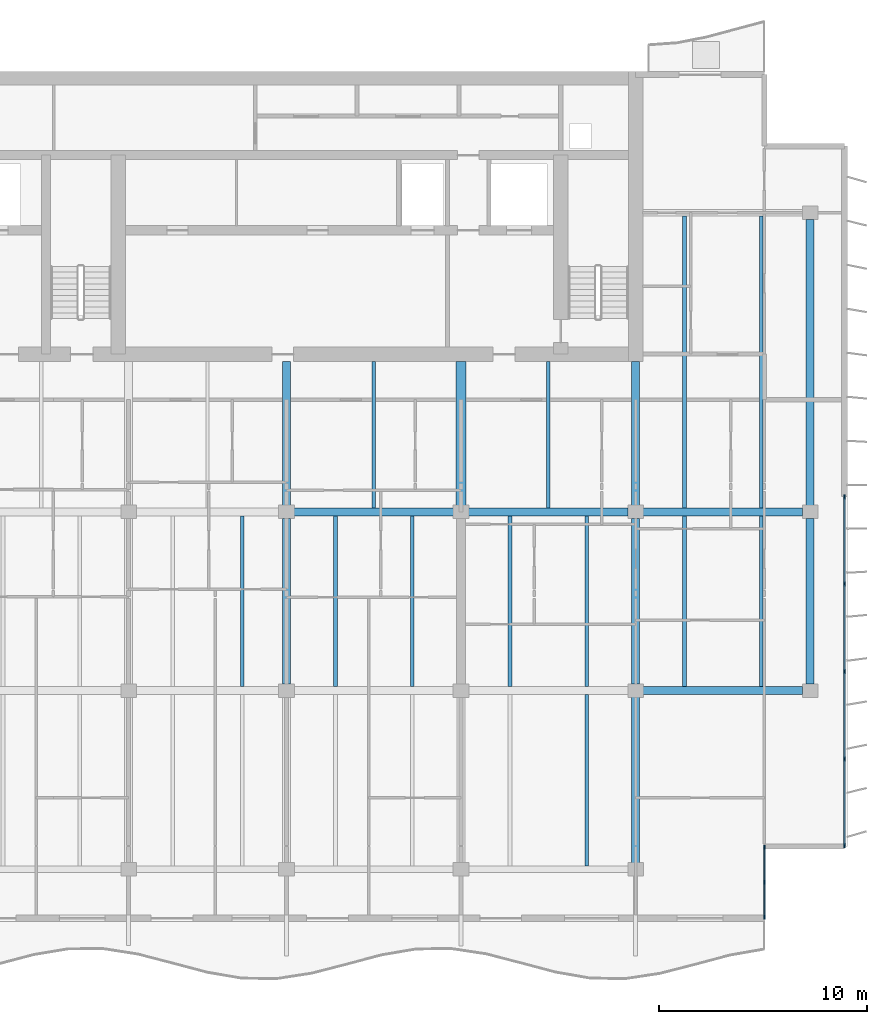
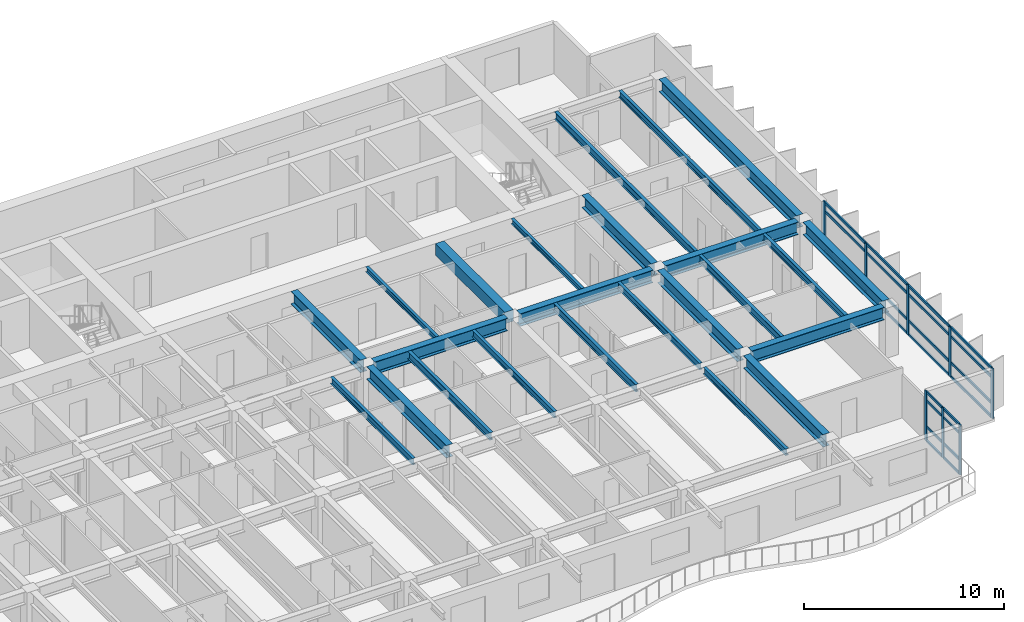
# One storey, part 4 of 17: 32 members, 24 beams, 2 elements without a shape of their own.
"""IFC4 building model written with IfcOpenShell, lengths in metres."""

import ifcopenshell
import ifcopenshell.guid

model = None  # the IFC model being written
_history = None  # IfcOwnerHistory: only IFC2X3 demands one
_inside = {}  # id of a spatial element -> (the spatial element, [elements in it])
_under = {}  # id of a project, library or spatial element -> (it, [spatial elements below it])
_declared = {}  # id of a project -> (the project, [libraries it declares])
_typed = {}  # id of a type object -> (the type object, [elements of that type])
_made_of = {}  # id of a material, layer set ... -> (it, [elements and type objects made of it])


def new_model(schema):
    """Start an empty IFC model of exactly this schema.

    Asked for "IFC4X3", IfcOpenShell would pick the latest addendum, in which some entities
    have other attributes; the version numbers below select the first issue.
    IFC2X3 requires an IfcOwnerHistory on every rooted entity: one is made here for all.
    """
    global model, _history
    if schema == "IFC4X3":
        model = ifcopenshell.file(schema_version=(4, 3, 0, 0))
    else:
        model = ifcopenshell.file(schema=schema)
    _inside.clear()
    _under.clear()
    _declared.clear()
    _typed.clear()
    _made_of.clear()
    _history = None
    if model.schema == "IFC2X3":
        org = make("IfcOrganization", Name="unknown")
        user = make(
            "IfcPersonAndOrganization",
            ThePerson=make("IfcPerson", FamilyName="unknown"),
            TheOrganization=org,
        )
        app = make(
            "IfcApplication",
            ApplicationDeveloper=org,
            Version="unknown",
            ApplicationFullName="unknown",
            ApplicationIdentifier="unknown",
        )
        _history = make(
            "IfcOwnerHistory",
            OwningUser=user,
            OwningApplication=app,
            ChangeAction="ADDED",
            CreationDate=0,
        )
    return model


def make(cls, **values):
    """One entity of the class cls with the attributes given. An attribute that is None is left unset."""
    return model.create_entity(
        cls, **{name: value for name, value in values.items() if value is not None}
    )


def rooted(cls, **values):
    """An entity with a GlobalId (a new one), such as an element, a storey or a relation."""
    return make(cls, GlobalId=ifcopenshell.guid.new(), OwnerHistory=_history, **values)


def si_unit(unit_type, name, prefix=None):
    """IfcSIUnit, for example si_unit("LENGTHUNIT", "METRE", prefix="MILLI")."""
    return make("IfcSIUnit", UnitType=unit_type, Prefix=prefix, Name=name)


def assignment(units):
    """IfcUnitAssignment: the units of a project."""
    return None if units is None else make("IfcUnitAssignment", Units=units)


def point(xyz):
    """IfcCartesianPoint."""
    return None if xyz is None else make("IfcCartesianPoint", Coordinates=xyz)


def direction(xyz):
    """IfcDirection."""
    return None if xyz is None else make("IfcDirection", DirectionRatios=xyz)


def frame(location, z_axis=None, x_axis=None):
    """IfcAxis2Placement3D, a coordinate frame: its origin and axes. An axis left out is left unset."""
    return make(
        "IfcAxis2Placement3D",
        Location=point(location),
        Axis=direction(z_axis),
        RefDirection=direction(x_axis),
    )


def frame_2d(location, x_axis=None):
    """IfcAxis2Placement2D, a coordinate frame in the plane: its origin and x axis."""
    return make(
        "IfcAxis2Placement2D", Location=point(location), RefDirection=direction(x_axis)
    )


def origin():
    """The frame at (0, 0, 0) with its axes left unset."""
    return frame((0.0, 0.0, 0.0))


def origin_2d():
    """The frame at (0, 0) in the plane with its x axis left unset."""
    return frame_2d((0.0, 0.0))


def place(relative_to, where):
    """IfcLocalPlacement: puts the frame where relative to a parent placement (None: the world)."""
    return make(
        "IfcLocalPlacement", PlacementRelTo=relative_to, RelativePlacement=where
    )


def context(
    kind, dimensions, precision=None, world=None, true_north=None, identifier=None
):
    """IfcGeometricRepresentationContext, for example the 3D "Model" context."""
    return make(
        "IfcGeometricRepresentationContext",
        ContextIdentifier=identifier,
        ContextType=kind,
        CoordinateSpaceDimension=dimensions,
        Precision=precision,
        WorldCoordinateSystem=world,
        TrueNorth=true_north,
    )


def subcontext(parent, identifier, kind, view, scale=None):
    """IfcGeometricRepresentationSubContext, for example "Body" below "Model"."""
    return make(
        "IfcGeometricRepresentationSubContext",
        ContextIdentifier=identifier,
        ContextType=kind,
        ParentContext=parent,
        TargetScale=scale,
        TargetView=view,
    )


def project(units=None, contexts=None):
    """IfcProject with its units and contexts."""
    return rooted(
        "IfcProject",
        Name="project",
        RepresentationContexts=contexts,
        UnitsInContext=assignment(units),
    )


def spatial(cls, under=None, at=None, **own):
    """A site, building, storey or space (cls), placed at a placement, below another one or the project."""
    s = rooted(cls, ObjectPlacement=at, **own)
    if under is not None:
        _under.setdefault(under.id(), (under, []))[1].append(s)
    return s


def profile(cls, at=None, kind="AREA", **sizes):
    """A parametric profile (cls). Its sizes go by their IFC names, for example OverallWidth=200.0."""
    return make(cls, ProfileType=kind, Position=at, **sizes)


def rectangle(**sizes):
    """IfcRectangleProfileDef."""
    return profile("IfcRectangleProfileDef", **sizes)


def i_section(**sizes):
    """IfcIShapeProfileDef."""
    return profile("IfcIShapeProfileDef", **sizes)


def extrude(swept, where, along, depth):
    """IfcExtrudedAreaSolid: the profile swept, set in the frame where, extruded along a direction by depth."""
    return make(
        "IfcExtrudedAreaSolid",
        SweptArea=swept,
        Position=where,
        ExtrudedDirection=direction(along),
        Depth=depth,
    )


def shape(context_of_items, identifier, shape_type, items):
    """IfcShapeRepresentation: the items that make up one representation, for example the "Body"."""
    return make(
        "IfcShapeRepresentation",
        ContextOfItems=context_of_items,
        RepresentationIdentifier=identifier,
        RepresentationType=shape_type,
        Items=items,
    )


def material(Name=None, Category=None):
    """IfcMaterial."""
    return make("IfcMaterial", Name=Name, Category=Category)


def layer(
    of_material, thickness, ventilated=None, Name=None, Category=None, Priority=None
):
    """IfcMaterialLayer: one layer of a wall or slab, of a material (None: an air gap)."""
    return make(
        "IfcMaterialLayer",
        Material=of_material,
        LayerThickness=thickness,
        IsVentilated=ventilated,
        Name=Name,
        Category=Category,
        Priority=Priority,
    )


def layer_set(layers, Name=None):
    """IfcMaterialLayerSet."""
    return make("IfcMaterialLayerSet", MaterialLayers=layers, LayerSetName=Name)


def material_profile(
    of_material, cross_section, Name=None, Category=None, Priority=None
):
    """IfcMaterialProfile: a cross section and its material."""
    return make(
        "IfcMaterialProfile",
        Name=Name,
        Material=of_material,
        Profile=cross_section,
        Priority=Priority,
        Category=Category,
    )


def profile_set(profiles, Name=None, composite=None):
    """IfcMaterialProfileSet."""
    return make(
        "IfcMaterialProfileSet",
        Name=Name,
        MaterialProfiles=profiles,
        CompositeProfile=composite,
    )


def made_of(thing, what):
    """Note that an element or type object is made of a material, layer set ...; save() writes the relation."""
    if what is not None:
        _made_of.setdefault(what.id(), (what, []))[1].append(thing)
    return thing


def type_object(cls, material=None, **own):
    """A type object (cls), such as IfcWallType, which elements share."""
    return made_of(rooted(cls, **own), material)


def element(
    cls,
    number,
    at=None,
    inside=None,
    cuts=None,
    type_object=None,
    material=None,
    context=None,
    identifier="Body",
    shape_type=None,
    held_by="IfcProductDefinitionShape",
    body=None,
    shapes=None,
    **own,
):
    """One element of the class cls, such as IfcWall. Its Tag is "e" and its number.

    at: its placement. inside: the storey or other place that contains it. cuts: it is an
    opening in that element (IfcRelVoidsElement). A single representation is given by context,
    identifier, shape_type and body (its items); several are given by shapes. held_by: the class
    of the entity that holds the representations. save() writes the other relations.
    """
    e = rooted(cls, Tag="e%d" % number, ObjectPlacement=at, **own)
    if body is not None:
        shapes = [shape(context, identifier, shape_type, body)]
    if shapes is not None:
        e.Representation = make(held_by, Representations=shapes)
    if inside is not None:
        _inside.setdefault(inside.id(), (inside, []))[1].append(e)
    if cuts is not None:
        rooted(
            "IfcRelVoidsElement", RelatingBuildingElement=cuts, RelatedOpeningElement=e
        )
    if type_object is not None:
        _typed.setdefault(type_object.id(), (type_object, []))[1].append(e)
    return made_of(e, material)


def aggregate(whole, parts):
    """IfcRelAggregates: a whole, such as a stair, and the parts it consists of."""
    return rooted("IfcRelAggregates", RelatingObject=whole, RelatedObjects=parts)


def save(model, path):
    """Write the relations noted so far, then the file.

    IfcRelAggregates (storeys below a building ...), IfcRelContainedInSpatialStructure (elements
    in a storey), IfcRelDefinesByType, IfcRelAssociatesMaterial and IfcRelDeclares: one each for
    every whole, place, type object, material and project.
    """
    for whole, parts in _under.values():
        aggregate(whole, parts)
    for where, things in _inside.values():
        rooted(
            "IfcRelContainedInSpatialStructure",
            RelatedElements=things,
            RelatingStructure=where,
        )
    for kind, things in _typed.values():
        rooted("IfcRelDefinesByType", RelatedObjects=things, RelatingType=kind)
    for what, things in _made_of.values():
        rooted("IfcRelAssociatesMaterial", RelatedObjects=things, RelatingMaterial=what)
    for by, libraries in _declared.values():
        rooted("IfcRelDeclares", RelatingContext=by, RelatedDefinitions=libraries)
    model.write(path)


model = new_model("IFC4")

# Units and contexts
model_context = context("Model", 3, precision=1e-05, world=origin(), true_north=direction((0.0, 1.0)))
body_context = subcontext(model_context, "Body", "Model", "MODEL_VIEW")
ifc_project = project(units=[si_unit("LENGTHUNIT", "METRE"), si_unit("AREAUNIT", "SQUARE_METRE"), si_unit("VOLUMEUNIT", "CUBIC_METRE"), si_unit("PLANEANGLEUNIT", "RADIAN"), si_unit("MASSUNIT", "GRAM", prefix="KILO")], contexts=[model_context])

# Site, building, storey
site_placement = place(None, origin())
site = spatial("IfcSite", under=ifc_project, at=site_placement, CompositionType="ELEMENT")
building_placement = place(site_placement, origin())
building = spatial("IfcBuilding", under=site, at=building_placement, Name="Caelmar Bay Residences", CompositionType="ELEMENT")
storey_placement = place(building_placement, frame((0.0, 0.0, 262.800048828125)))
storey = spatial("IfcBuildingStorey", under=building, at=storey_placement, Name="L74", CompositionType="ELEMENT", Elevation=262.800048828125)

# Beams
ifc_material_1 = material(Name="Steel ASTM A992 Grade 50", Category="steel")
ifc_material_profile_1 = material_profile(ifc_material_1, i_section(OverallWidth=0.177978515625, OverallDepth=0.406005859375, WebThickness=0.0078125, FlangeThickness=0.0126953125, FilletRadius=0.0087890625, at=origin_2d()), Name="W16X40")
ifc_profile_set_1 = profile_set([ifc_material_profile_1], Name="Steel ASTM A992 Grade 50")
beam_type_1 = type_object("IfcBeamType", Name="BM-BAL-W16X40", PredefinedType="JOIST", material=ifc_profile_set_1)
beam_1_placement = place(storey_placement, frame((57.14794921875, 12.362548828125, 2.846923828125), z_axis=(0.0, 1.0, 0.0), x_axis=(-1.0, 0.0, 0.0)))
element("IfcBeam", 1, at=beam_1_placement, inside=storey, type_object=beam_type_1, Name="L74 Composite Floor Joist 10", PredefinedType="JOIST", context=body_context, shape_type="SweptSolid", body=[
    extrude(i_section(OverallWidth=0.177978515625, OverallDepth=0.406005859375, WebThickness=0.0078125, FlangeThickness=0.0126953125, FilletRadius=0.0087890625, at=origin_2d()), origin(), (0.0, 0.0, 1.0), 8.2470703125),
])
for number, where, z_axis, x_axis, name in (
    (2, (40.572021484375, 20.990478515625, 2.846923828125), (0.0, 1.0, 0.0), (-1.0, 0.0, 0.0), "L74 Composite Floor Joist 18"),
    (3, (48.748046875, 20.990478515625, 2.846923828125), (0.0, 1.0, 0.0), (-1.0, 0.0, 0.0), "L74 Composite Floor Joist 20"),
    (4, (57.14794921875, 20.990478515625, 2.846923828125), (0.0, 1.0, 0.0), (-1.0, 0.0, 0.0), "L74 Composite Floor Joist 22"),
    (5, (65.548095703125, 20.990478515625, 2.846923828125), (0.0, 1.0, 0.0), (-1.0, 0.0, 0.0), "L74 Composite Floor Joist 24"),
):
    element("IfcBeam", number, at=place(storey_placement, frame(where, z_axis=z_axis, x_axis=x_axis)), inside=storey, type_object=beam_type_1, Name=name, PredefinedType="JOIST", context=body_context, shape_type="SweptSolid", body=[
        extrude(i_section(OverallWidth=0.177978515625, OverallDepth=0.406005859375, WebThickness=0.0078125, FlangeThickness=0.0126953125, FilletRadius=0.0087890625, at=origin_2d()), origin(), (0.0, 0.0, 1.0), 8.218994140625),
    ])
beam_2_placement = place(storey_placement, frame((65.548095703125, 29.590576171875, 2.846923828125), z_axis=(0.0, 1.0, 0.0), x_axis=(-1.0, 0.0, 0.0)))
element("IfcBeam", 6, at=beam_2_placement, inside=storey, type_object=beam_type_1, Name="L74 Composite Floor Joist 33", PredefinedType="JOIST", context=body_context, shape_type="SweptSolid", body=[
    extrude(i_section(OverallWidth=0.177978515625, OverallDepth=0.406005859375, WebThickness=0.0078125, FlangeThickness=0.0126953125, FilletRadius=0.0087890625, at=origin_2d()), origin(), (0.0, 0.0, 1.0), 14.046875),
])
ifc_material_profile_2 = material_profile(ifc_material_1, i_section(OverallWidth=0.381103515625, OverallDepth=0.77197265625, WebThickness=0.0166015625, FlangeThickness=0.027099609375, FilletRadius=0.0166015625, at=origin_2d()), Name="W30X173")
ifc_profile_set_2 = profile_set([ifc_material_profile_2], Name="Steel ASTM A992 Grade 50")
beam_type_2 = type_object("IfcBeamType", Name="BM-GRD-W30X173", PredefinedType="BEAM", material=ifc_profile_set_2)
beam_3_placement = place(storey_placement, frame((59.864990234375, 20.800048828125, 2.6640625), z_axis=(1.0, 0.0, 0.0), x_axis=(0.0, 1.0, 0.0)))
element("IfcBeam", 7, at=beam_3_placement, inside=storey, type_object=beam_type_2, Name="L74 East-West Girder Y=20.80 (59.5-67.9)", PredefinedType="BEAM", context=body_context, shape_type="SweptSolid", body=[
    extrude(i_section(OverallWidth=0.381103515625, OverallDepth=0.77197265625, WebThickness=0.0166015625, FlangeThickness=0.027099609375, FilletRadius=0.0166015625, at=origin_2d()), origin(), (0.0, 0.0, 1.0), 7.669921875),
])
beam_4_placement = place(storey_placement, frame((43.06494140625, 29.39990234375, 2.6640625), z_axis=(1.0, 0.0, 0.0), x_axis=(0.0, 1.0, 0.0)))
element("IfcBeam", 8, at=beam_4_placement, inside=storey, type_object=beam_type_2, Name="L74 East-West Girder Y=29.40 (42.7-51.1)", PredefinedType="BEAM", context=body_context, shape_type="SweptSolid", body=[
    extrude(i_section(OverallWidth=0.381103515625, OverallDepth=0.77197265625, WebThickness=0.0166015625, FlangeThickness=0.027099609375, FilletRadius=0.0166015625, at=origin_2d()), origin(), (0.0, 0.0, 1.0), 7.670166015625),
])
for number, where, z_axis, x_axis, name in (
    (9, (51.465087890625, 29.39990234375, 2.6640625), (1.0, 0.0, 0.0), (0.0, 1.0, 0.0), "L74 East-West Girder Y=29.40 (51.1-59.5)"),
    (10, (59.864990234375, 29.39990234375, 2.6640625), (1.0, 0.0, 0.0), (0.0, 1.0, 0.0), "L74 East-West Girder Y=29.40 (59.5-67.9)"),
):
    element("IfcBeam", number, at=place(storey_placement, frame(where, z_axis=z_axis, x_axis=x_axis)), inside=storey, type_object=beam_type_2, Name=name, PredefinedType="BEAM", context=body_context, shape_type="SweptSolid", body=[
        extrude(i_section(OverallWidth=0.381103515625, OverallDepth=0.77197265625, WebThickness=0.0166015625, FlangeThickness=0.027099609375, FilletRadius=0.0166015625, at=origin_2d()), origin(), (0.0, 0.0, 1.0), 7.669921875),
    ])
beam_5_placement = place(storey_placement, frame((42.699951171875, 29.715087890625, 2.6640625), z_axis=(0.0, 1.0, 0.0), x_axis=(-1.0, 0.0, 0.0)))
element("IfcBeam", 11, at=beam_5_placement, inside=storey, type_object=beam_type_2, Name="L74 Core Tie Girder X=42.70", PredefinedType="BEAM", context=body_context, shape_type="SweptSolid", body=[
    extrude(i_section(OverallWidth=0.381103515625, OverallDepth=0.77197265625, WebThickness=0.0166015625, FlangeThickness=0.027099609375, FilletRadius=0.0166015625, at=origin_2d()), origin(), (0.0, 0.0, 1.0), 6.934814453125),
])
beam_6_placement = place(storey_placement, frame((42.699951171875, 21.114990234375, 2.6640625), z_axis=(0.0, 1.0, 0.0), x_axis=(-1.0, 0.0, 0.0)))
element("IfcBeam", 12, at=beam_6_placement, inside=storey, type_object=beam_type_2, Name="L74 North-South Girder X=42.70 (20.8-29.4)", PredefinedType="BEAM", context=body_context, shape_type="SweptSolid", body=[
    extrude(i_section(OverallWidth=0.381103515625, OverallDepth=0.77197265625, WebThickness=0.0166015625, FlangeThickness=0.027099609375, FilletRadius=0.0166015625, at=origin_2d()), origin(), (0.0, 0.0, 1.0), 7.969970703125),
])
beam_7_placement = place(storey_placement, frame((59.5, 29.715087890625, 2.6640625), z_axis=(0.0, 1.0, 0.0), x_axis=(-1.0, 0.0, 0.0)))
element("IfcBeam", 13, at=beam_7_placement, inside=storey, type_object=beam_type_2, Name="L74 Core Tie Girder X=59.50", PredefinedType="BEAM", context=body_context, shape_type="SweptSolid", body=[
    extrude(i_section(OverallWidth=0.381103515625, OverallDepth=0.77197265625, WebThickness=0.0166015625, FlangeThickness=0.027099609375, FilletRadius=0.0166015625, at=origin_2d()), origin(), (0.0, 0.0, 1.0), 6.934814453125),
])
beam_8_placement = place(storey_placement, frame((59.5, 12.514892578125, 2.6640625), z_axis=(0.0, 1.0, 0.0), x_axis=(-1.0, 0.0, 0.0)))
element("IfcBeam", 14, at=beam_8_placement, inside=storey, type_object=beam_type_2, Name="L74 North-South Girder X=59.50 (12.2-20.8)", PredefinedType="BEAM", context=body_context, shape_type="SweptSolid", body=[
    extrude(i_section(OverallWidth=0.381103515625, OverallDepth=0.77197265625, WebThickness=0.0166015625, FlangeThickness=0.027099609375, FilletRadius=0.0166015625, at=origin_2d()), origin(), (0.0, 0.0, 1.0), 7.97021484375),
])
for number, where, z_axis, x_axis, name in (
    (15, (59.5, 21.114990234375, 2.6640625), (0.0, 1.0, 0.0), (-1.0, 0.0, 0.0), "L74 North-South Girder X=59.50 (20.8-29.4)"),
    (16, (67.89990234375, 21.114990234375, 2.6640625), (0.0, 1.0, 0.0), (-1.0, 0.0, 0.0), "L74 North-South Girder X=67.90 (20.8-29.4)"),
):
    element("IfcBeam", number, at=place(storey_placement, frame(where, z_axis=z_axis, x_axis=x_axis)), inside=storey, type_object=beam_type_2, Name=name, PredefinedType="BEAM", context=body_context, shape_type="SweptSolid", body=[
        extrude(i_section(OverallWidth=0.381103515625, OverallDepth=0.77197265625, WebThickness=0.0166015625, FlangeThickness=0.027099609375, FilletRadius=0.0166015625, at=origin_2d()), origin(), (0.0, 0.0, 1.0), 7.969970703125),
    ])
beam_9_placement = place(storey_placement, frame((67.89990234375, 29.715087890625, 2.6640625), z_axis=(0.0, 1.0, 0.0), x_axis=(-1.0, 0.0, 0.0)))
element("IfcBeam", 17, at=beam_9_placement, inside=storey, type_object=beam_type_2, Name="L74 North-South Girder X=67.90 (29.4-43.8)", PredefinedType="BEAM", context=body_context, shape_type="SweptSolid", body=[
    extrude(i_section(OverallWidth=0.381103515625, OverallDepth=0.77197265625, WebThickness=0.0166015625, FlangeThickness=0.027099609375, FilletRadius=0.0166015625, at=origin_2d()), origin(), (0.0, 0.0, 1.0), 13.77001953125),
])
ifc_material_profile_3 = material_profile(ifc_material_1, i_section(OverallWidth=0.1650390625, OverallDepth=0.31005859375, WebThickness=0.005859375, FlangeThickness=0.009765625, FilletRadius=0.007568359375, at=origin_2d()), Name="W12X26")
ifc_profile_set_3 = profile_set([ifc_material_profile_3], Name="Steel ASTM A992 Grade 50")
beam_type_3 = type_object("IfcBeamType", Name="BM-JST-W12X26", PredefinedType="JOIST", material=ifc_profile_set_3)
for number, where, z_axis, x_axis, name in (
    (18, (46.89990234375, 29.590576171875, 2.89501953125), (0.0, 1.0, 0.0), (-1.0, 0.0, 0.0), "L74 Core-Band Composite Joist 28"),
    (19, (55.300048828125, 29.590576171875, 2.89501953125), (0.0, 1.0, 0.0), (-1.0, 0.0, 0.0), "L74 Core-Band Composite Joist 29"),
):
    element("IfcBeam", number, at=place(storey_placement, frame(where, z_axis=z_axis, x_axis=x_axis)), inside=storey, type_object=beam_type_3, Name=name, PredefinedType="JOIST", context=body_context, shape_type="SweptSolid", body=[
        extrude(i_section(OverallWidth=0.1650390625, OverallDepth=0.31005859375, WebThickness=0.005859375, FlangeThickness=0.009765625, FilletRadius=0.007568359375, at=origin_2d()), origin(), (0.0, 0.0, 1.0), 7.059326171875),
    ])
ifc_material_profile_4 = material_profile(ifc_material_1, i_section(OverallWidth=0.19091796875, OverallDepth=0.45703125, WebThickness=0.009033203125, FlangeThickness=0.014404296875, FilletRadius=0.01025390625, at=origin_2d()), Name="W18X50")
ifc_profile_set_4 = profile_set([ifc_material_profile_4], Name="Steel ASTM A992 Grade 50")
beam_type_4 = type_object("IfcBeamType", Name="BM-JST-W18X50", PredefinedType="JOIST", material=ifc_profile_set_4)
for number, where, z_axis, x_axis, name in (
    (20, (45.052001953125, 20.990478515625, 2.821533203125), (0.0, 1.0, 0.0), (-1.0, 0.0, 0.0), "L74 Composite Floor Joist 19"),
    (21, (53.451904296875, 20.990478515625, 2.821533203125), (0.0, 1.0, 0.0), (-1.0, 0.0, 0.0), "L74 Composite Floor Joist 21"),
    (22, (61.85205078125, 20.990478515625, 2.821533203125), (0.0, 1.0, 0.0), (-1.0, 0.0, 0.0), "L74 Composite Floor Joist 23"),
):
    element("IfcBeam", number, at=place(storey_placement, frame(where, z_axis=z_axis, x_axis=x_axis)), inside=storey, type_object=beam_type_4, Name=name, PredefinedType="JOIST", context=body_context, shape_type="SweptSolid", body=[
        extrude(i_section(OverallWidth=0.19091796875, OverallDepth=0.45703125, WebThickness=0.009033203125, FlangeThickness=0.014404296875, FilletRadius=0.01025390625, at=origin_2d()), origin(), (0.0, 0.0, 1.0), 8.218994140625),
    ])
beam_10_placement = place(storey_placement, frame((61.85205078125, 29.590576171875, 2.821533203125), z_axis=(0.0, 1.0, 0.0), x_axis=(-1.0, 0.0, 0.0)))
element("IfcBeam", 23, at=beam_10_placement, inside=storey, type_object=beam_type_4, Name="L74 Composite Floor Joist 32", PredefinedType="JOIST", context=body_context, shape_type="SweptSolid", body=[
    extrude(i_section(OverallWidth=0.19091796875, OverallDepth=0.45703125, WebThickness=0.009033203125, FlangeThickness=0.014404296875, FilletRadius=0.01025390625, at=origin_2d()), origin(), (0.0, 0.0, 1.0), 14.046875),
])
ifc_material_2 = material(Name="Concrete f'c 55 MPa (8,000 psi)", Category="concrete")
ifc_material_profile_5 = material_profile(ifc_material_2, rectangle(XDim=0.5, YDim=0.699951171875, at=origin_2d()), Name="RC-BM-500X700")
ifc_profile_set_5 = profile_set([ifc_material_profile_5], Name="Concrete f'c 55 MPa (8,000 psi)")
beam_type_5 = type_object("IfcBeamType", Name="BM-RC-500X700", PredefinedType="LINTEL", material=ifc_profile_set_5)
beam_11_placement = place(storey_placement, frame((51.10009765625, 29.715087890625, 2.699951171875), z_axis=(0.0, 1.0, 0.0), x_axis=(-1.0, 0.0, 0.0)))
element("IfcBeam", 24, at=beam_11_placement, inside=storey, type_object=beam_type_5, Name="L74 Shear-Wall Corridor Coupling Lintel E8", PredefinedType="LINTEL", context=body_context, shape_type="SweptSolid", body=[
    extrude(rectangle(XDim=0.5, YDim=0.699951171875, at=origin_2d()), origin(), (0.0, 0.0, 1.0), 6.934814453125),
])

# Curtain wall, members
ifc_material_3 = material(Name="Anodised bronze aluminium 6063-T6 and laminated glass", Category="aluminium")
ifc_layer_1 = layer(ifc_material_3, 0.179931640625)
ifc_layer_set_1 = layer_set([ifc_layer_1], Name="Anodised bronze aluminium 6063-T6 and laminated glass")
curtain_wall_type_1 = type_object("IfcCurtainWallType", Name="CW6-NTC", PredefinedType="NOTDEFINED", material=ifc_layer_set_1)
curtain_wall_1_placement = place(storey_placement, origin())
curtain_wall_1 = element("IfcCurtainWall", 25, at=curtain_wall_1_placement, inside=storey, type_object=curtain_wall_type_1, Name="CW6 curtain wall L74", PredefinedType="NOTDEFINED")
ifc_material_4 = material(Name="Anodised bronze aluminium 6063-T6", Category="aluminium")
ifc_material_profile_6 = material_profile(ifc_material_4, rectangle(XDim=0.080078125, YDim=0.179931640625, at=origin_2d()), Name="CWM-80X180")
ifc_profile_set_6 = profile_set([ifc_material_profile_6], Name="Anodised bronze aluminium 6063-T6")
member_type_1 = type_object("IfcMemberType", Name="CWM-180", PredefinedType="MULLION", material=ifc_profile_set_6)
member_1_placement = place(storey_placement, frame((65.699951171875, 9.889892578125, 0.0), z_axis=(0.0, 0.0, 1.0), x_axis=(-1.0, 0.0, 0.0)))
member_1 = element("IfcMember", 26, at=member_1_placement, type_object=member_type_1, Name="CW6 mullion 1", PredefinedType="MULLION", context=body_context, shape_type="SweptSolid", body=[
    extrude(rectangle(XDim=0.080078125, YDim=0.179931640625, at=origin_2d()), origin(), (0.0, 0.0, 1.0), 3.050048828125),
])
member_2_placement = place(storey_placement, frame((65.699951171875, 11.574951171875, 0.0), z_axis=(0.0, 0.0, 1.0), x_axis=(-1.0, 0.0, 0.0)))
member_2 = element("IfcMember", 27, at=member_2_placement, type_object=member_type_1, Name="CW6 mullion 2", PredefinedType="MULLION", context=body_context, shape_type="SweptSolid", body=[
    extrude(rectangle(XDim=0.080078125, YDim=0.179931640625, at=origin_2d()), origin(), (0.0, 0.0, 1.0), 3.050048828125),
])
member_3_placement = place(storey_placement, frame((65.699951171875, 13.260009765625, 0.0), z_axis=(0.0, 0.0, 1.0), x_axis=(-1.0, 0.0, 0.0)))
member_3 = element("IfcMember", 28, at=member_3_placement, type_object=member_type_1, Name="CW6 mullion 3", PredefinedType="MULLION", context=body_context, shape_type="SweptSolid", body=[
    extrude(rectangle(XDim=0.080078125, YDim=0.179931640625, at=origin_2d()), origin(), (0.0, 0.0, 1.0), 3.050048828125),
])

ifc_layer_2 = layer(ifc_material_3, 0.179931640625)
ifc_layer_set_2 = layer_set([ifc_layer_2], Name="Anodised bronze aluminium 6063-T6 and laminated glass")
curtain_wall_type_2 = type_object("IfcCurtainWallType", Name="CW5-Z4", PredefinedType="NOTDEFINED", material=ifc_layer_set_2)
curtain_wall_2_placement = place(storey_placement, origin())
curtain_wall_2 = element("IfcCurtainWall", 29, at=curtain_wall_2_placement, inside=storey, type_object=curtain_wall_type_2, Name="CW5 curtain wall L74", PredefinedType="NOTDEFINED")
ifc_material_profile_7 = material_profile(ifc_material_4, rectangle(XDim=0.080078125, YDim=0.219970703125, at=origin_2d()), Name="CWM-80X220")
ifc_profile_set_7 = profile_set([ifc_material_profile_7], Name="Anodised bronze aluminium 6063-T6")
member_type_2 = type_object("IfcMemberType", Name="CWM-220", PredefinedType="MULLION", material=ifc_profile_set_7)
member_4_placement = place(storey_placement, frame((69.550048828125, 30.110107421875, 0.0), z_axis=(0.0, 0.0, 1.0), x_axis=(1.0, 0.0, 0.0)))
member_4 = element("IfcMember", 30, at=member_4_placement, type_object=member_type_2, Name="CW5 mullion 1", PredefinedType="MULLION", context=body_context, shape_type="SweptSolid", body=[
    extrude(rectangle(XDim=0.080078125, YDim=0.219970703125, at=origin_2d()), origin(), (0.0, 0.0, 1.0), 3.050048828125),
])
member_5_placement = place(storey_placement, frame((69.550048828125, 25.9375, 0.0), z_axis=(0.0, 0.0, 1.0), x_axis=(1.0, 0.0, 0.0)))
member_5 = element("IfcMember", 31, at=member_5_placement, type_object=member_type_2, Name="CW5 mullion 2", PredefinedType="MULLION", context=body_context, shape_type="SweptSolid", body=[
    extrude(rectangle(XDim=0.080078125, YDim=0.219970703125, at=origin_2d()), origin(), (0.0, 0.0, 1.0), 3.050048828125),
])
member_6_placement = place(storey_placement, frame((69.550048828125, 21.72509765625, 0.0), z_axis=(0.0, 0.0, 1.0), x_axis=(1.0, 0.0, 0.0)))
member_6 = element("IfcMember", 32, at=member_6_placement, type_object=member_type_2, Name="CW5 mullion 3", PredefinedType="MULLION", context=body_context, shape_type="SweptSolid", body=[
    extrude(rectangle(XDim=0.080078125, YDim=0.219970703125, at=origin_2d()), origin(), (0.0, 0.0, 1.0), 3.050048828125),
])
member_7_placement = place(storey_placement, frame((69.550048828125, 17.512451171875, 0.0), z_axis=(0.0, 0.0, 1.0), x_axis=(1.0, 0.0, 0.0)))
member_7 = element("IfcMember", 33, at=member_7_placement, type_object=member_type_2, Name="CW5 mullion 4", PredefinedType="MULLION", context=body_context, shape_type="SweptSolid", body=[
    extrude(rectangle(XDim=0.080078125, YDim=0.219970703125, at=origin_2d()), origin(), (0.0, 0.0, 1.0), 3.050048828125),
])
member_8_placement = place(storey_placement, frame((69.550048828125, 13.340087890625, 0.0), z_axis=(0.0, 0.0, 1.0), x_axis=(1.0, 0.0, 0.0)))
member_8 = element("IfcMember", 34, at=member_8_placement, type_object=member_type_2, Name="CW5 mullion 5", PredefinedType="MULLION", context=body_context, shape_type="SweptSolid", body=[
    extrude(rectangle(XDim=0.080078125, YDim=0.219970703125, at=origin_2d()), origin(), (0.0, 0.0, 1.0), 3.050048828125),
])

# Member
ifc_material_profile_8 = material_profile(ifc_material_4, rectangle(XDim=0.080078125, YDim=0.139892578125, at=origin_2d()), Name="CWT-80X140")
ifc_profile_set_8 = profile_set([ifc_material_profile_8], Name="Anodised bronze aluminium 6063-T6")
member_type_3 = type_object("IfcMemberType", Name="CWT-140", PredefinedType="NOTDEFINED", material=ifc_profile_set_8)
member_9_placement = place(storey_placement, frame((65.699951171875, 9.929931640625, 0.0400390625), z_axis=(0.0, 1.0, 0.0), x_axis=(-1.0, 0.0, 0.0)))
member_9 = element("IfcMember", 35, at=member_9_placement, type_object=member_type_3, Name="CW6 transom 1.1", ObjectType="TRANSOM", PredefinedType="USERDEFINED", context=body_context, shape_type="SweptSolid", body=[
    extrude(rectangle(XDim=0.080078125, YDim=0.139892578125, at=origin_2d()), origin(), (0.0, 0.0, 1.0), 1.60498046875),
])

member_10_placement = place(storey_placement, frame((65.699951171875, 9.929931640625, 0.89990234375), z_axis=(0.0, 1.0, 0.0), x_axis=(-1.0, 0.0, 0.0)))
member_10 = element("IfcMember", 36, at=member_10_placement, type_object=member_type_3, Name="CW6 transom 1.2", ObjectType="TRANSOM", PredefinedType="USERDEFINED", context=body_context, shape_type="SweptSolid", body=[
    extrude(rectangle(XDim=0.080078125, YDim=0.139892578125, at=origin_2d()), origin(), (0.0, 0.0, 1.0), 1.60498046875),
])

member_11_placement = place(storey_placement, frame((65.699951171875, 9.929931640625, 2.5), z_axis=(0.0, 1.0, 0.0), x_axis=(-1.0, 0.0, 0.0)))
member_11 = element("IfcMember", 37, at=member_11_placement, type_object=member_type_3, Name="CW6 transom 1.3", ObjectType="TRANSOM", PredefinedType="USERDEFINED", context=body_context, shape_type="SweptSolid", body=[
    extrude(rectangle(XDim=0.080078125, YDim=0.139892578125, at=origin_2d()), origin(), (0.0, 0.0, 1.0), 1.60498046875),
])

member_12_placement = place(storey_placement, frame((65.699951171875, 9.929931640625, 3.010009765625), z_axis=(0.0, 1.0, 0.0), x_axis=(-1.0, 0.0, 0.0)))
member_12 = element("IfcMember", 38, at=member_12_placement, type_object=member_type_3, Name="CW6 transom 1.4", ObjectType="TRANSOM", PredefinedType="USERDEFINED", context=body_context, shape_type="SweptSolid", body=[
    extrude(rectangle(XDim=0.080078125, YDim=0.139892578125, at=origin_2d()), origin(), (0.0, 0.0, 1.0), 1.60498046875),
])

member_13_placement = place(storey_placement, frame((65.699951171875, 11.614990234375, 0.0400390625), z_axis=(0.0, 1.0, 0.0), x_axis=(-1.0, 0.0, 0.0)))
member_13 = element("IfcMember", 39, at=member_13_placement, type_object=member_type_3, Name="CW6 transom 2.1", ObjectType="TRANSOM", PredefinedType="USERDEFINED", context=body_context, shape_type="SweptSolid", body=[
    extrude(rectangle(XDim=0.080078125, YDim=0.139892578125, at=origin_2d()), origin(), (0.0, 0.0, 1.0), 1.60498046875),
])

member_14_placement = place(storey_placement, frame((65.699951171875, 11.614990234375, 0.89990234375), z_axis=(0.0, 1.0, 0.0), x_axis=(-1.0, 0.0, 0.0)))
member_14 = element("IfcMember", 40, at=member_14_placement, type_object=member_type_3, Name="CW6 transom 2.2", ObjectType="TRANSOM", PredefinedType="USERDEFINED", context=body_context, shape_type="SweptSolid", body=[
    extrude(rectangle(XDim=0.080078125, YDim=0.139892578125, at=origin_2d()), origin(), (0.0, 0.0, 1.0), 1.60498046875),
])

member_15_placement = place(storey_placement, frame((65.699951171875, 11.614990234375, 2.5), z_axis=(0.0, 1.0, 0.0), x_axis=(-1.0, 0.0, 0.0)))
member_15 = element("IfcMember", 41, at=member_15_placement, type_object=member_type_3, Name="CW6 transom 2.3", ObjectType="TRANSOM", PredefinedType="USERDEFINED", context=body_context, shape_type="SweptSolid", body=[
    extrude(rectangle(XDim=0.080078125, YDim=0.139892578125, at=origin_2d()), origin(), (0.0, 0.0, 1.0), 1.60498046875),
])

member_16_placement = place(storey_placement, frame((65.699951171875, 11.614990234375, 3.010009765625), z_axis=(0.0, 1.0, 0.0), x_axis=(-1.0, 0.0, 0.0)))
member_16 = element("IfcMember", 42, at=member_16_placement, type_object=member_type_3, Name="CW6 transom 2.4", ObjectType="TRANSOM", PredefinedType="USERDEFINED", context=body_context, shape_type="SweptSolid", body=[
    extrude(rectangle(XDim=0.080078125, YDim=0.139892578125, at=origin_2d()), origin(), (0.0, 0.0, 1.0), 1.60498046875),
])

aggregate(curtain_wall_1, [member_1, member_2, member_3, member_9, member_10, member_11, member_12, member_13, member_14, member_15, member_16])

ifc_material_profile_9 = material_profile(ifc_material_4, rectangle(XDim=0.080078125, YDim=0.159912109375, at=origin_2d()), Name="CWT-80X160")
ifc_profile_set_9 = profile_set([ifc_material_profile_9], Name="Anodised bronze aluminium 6063-T6")
member_type_4 = type_object("IfcMemberType", Name="CWT-160", PredefinedType="NOTDEFINED", material=ifc_profile_set_9)
member_17_placement = place(storey_placement, frame((69.550048828125, 30.070068359375, 0.0400390625), z_axis=(0.0, -1.0, 0.0), x_axis=(1.0, 0.0, 0.0)))
member_17 = element("IfcMember", 43, at=member_17_placement, type_object=member_type_4, Name="CW5 transom 1.1", ObjectType="TRANSOM", PredefinedType="USERDEFINED", context=body_context, shape_type="SweptSolid", body=[
    extrude(rectangle(XDim=0.080078125, YDim=0.159912109375, at=origin_2d()), origin(), (0.0, 0.0, 1.0), 4.092529296875),
])

member_18_placement = place(storey_placement, frame((69.550048828125, 30.070068359375, 0.89990234375), z_axis=(0.0, -1.0, 0.0), x_axis=(1.0, 0.0, 0.0)))
member_18 = element("IfcMember", 44, at=member_18_placement, type_object=member_type_4, Name="CW5 transom 1.2", ObjectType="TRANSOM", PredefinedType="USERDEFINED", context=body_context, shape_type="SweptSolid", body=[
    extrude(rectangle(XDim=0.080078125, YDim=0.159912109375, at=origin_2d()), origin(), (0.0, 0.0, 1.0), 4.092529296875),
])

member_19_placement = place(storey_placement, frame((69.550048828125, 30.070068359375, 2.5), z_axis=(0.0, -1.0, 0.0), x_axis=(1.0, 0.0, 0.0)))
member_19 = element("IfcMember", 45, at=member_19_placement, type_object=member_type_4, Name="CW5 transom 1.3", ObjectType="TRANSOM", PredefinedType="USERDEFINED", context=body_context, shape_type="SweptSolid", body=[
    extrude(rectangle(XDim=0.080078125, YDim=0.159912109375, at=origin_2d()), origin(), (0.0, 0.0, 1.0), 4.092529296875),
])

member_20_placement = place(storey_placement, frame((69.550048828125, 30.070068359375, 3.010009765625), z_axis=(0.0, -1.0, 0.0), x_axis=(1.0, 0.0, 0.0)))
member_20 = element("IfcMember", 46, at=member_20_placement, type_object=member_type_4, Name="CW5 transom 1.4", ObjectType="TRANSOM", PredefinedType="USERDEFINED", context=body_context, shape_type="SweptSolid", body=[
    extrude(rectangle(XDim=0.080078125, YDim=0.159912109375, at=origin_2d()), origin(), (0.0, 0.0, 1.0), 4.092529296875),
])

member_21_placement = place(storey_placement, frame((69.550048828125, 25.8974609375, 0.0400390625), z_axis=(0.0, -1.0, 0.0), x_axis=(1.0, 0.0, 0.0)))
member_21 = element("IfcMember", 47, at=member_21_placement, type_object=member_type_4, Name="CW5 transom 2.1", ObjectType="TRANSOM", PredefinedType="USERDEFINED", context=body_context, shape_type="SweptSolid", body=[
    extrude(rectangle(XDim=0.080078125, YDim=0.159912109375, at=origin_2d()), origin(), (0.0, 0.0, 1.0), 4.132568359375),
])

member_22_placement = place(storey_placement, frame((69.550048828125, 25.8974609375, 0.89990234375), z_axis=(0.0, -1.0, 0.0), x_axis=(1.0, 0.0, 0.0)))
member_22 = element("IfcMember", 48, at=member_22_placement, type_object=member_type_4, Name="CW5 transom 2.2", ObjectType="TRANSOM", PredefinedType="USERDEFINED", context=body_context, shape_type="SweptSolid", body=[
    extrude(rectangle(XDim=0.080078125, YDim=0.159912109375, at=origin_2d()), origin(), (0.0, 0.0, 1.0), 4.132568359375),
])

member_23_placement = place(storey_placement, frame((69.550048828125, 25.8974609375, 2.5), z_axis=(0.0, -1.0, 0.0), x_axis=(1.0, 0.0, 0.0)))
member_23 = element("IfcMember", 49, at=member_23_placement, type_object=member_type_4, Name="CW5 transom 2.3", ObjectType="TRANSOM", PredefinedType="USERDEFINED", context=body_context, shape_type="SweptSolid", body=[
    extrude(rectangle(XDim=0.080078125, YDim=0.159912109375, at=origin_2d()), origin(), (0.0, 0.0, 1.0), 4.132568359375),
])

member_24_placement = place(storey_placement, frame((69.550048828125, 25.8974609375, 3.010009765625), z_axis=(0.0, -1.0, 0.0), x_axis=(1.0, 0.0, 0.0)))
member_24 = element("IfcMember", 50, at=member_24_placement, type_object=member_type_4, Name="CW5 transom 2.4", ObjectType="TRANSOM", PredefinedType="USERDEFINED", context=body_context, shape_type="SweptSolid", body=[
    extrude(rectangle(XDim=0.080078125, YDim=0.159912109375, at=origin_2d()), origin(), (0.0, 0.0, 1.0), 4.132568359375),
])

member_25_placement = place(storey_placement, frame((69.550048828125, 21.68505859375, 0.0400390625), z_axis=(0.0, -1.0, 0.0), x_axis=(1.0, 0.0, 0.0)))
member_25 = element("IfcMember", 51, at=member_25_placement, type_object=member_type_4, Name="CW5 transom 3.1", ObjectType="TRANSOM", PredefinedType="USERDEFINED", context=body_context, shape_type="SweptSolid", body=[
    extrude(rectangle(XDim=0.080078125, YDim=0.159912109375, at=origin_2d()), origin(), (0.0, 0.0, 1.0), 4.132568359375),
])

member_26_placement = place(storey_placement, frame((69.550048828125, 21.68505859375, 0.89990234375), z_axis=(0.0, -1.0, 0.0), x_axis=(1.0, 0.0, 0.0)))
member_26 = element("IfcMember", 52, at=member_26_placement, type_object=member_type_4, Name="CW5 transom 3.2", ObjectType="TRANSOM", PredefinedType="USERDEFINED", context=body_context, shape_type="SweptSolid", body=[
    extrude(rectangle(XDim=0.080078125, YDim=0.159912109375, at=origin_2d()), origin(), (0.0, 0.0, 1.0), 4.132568359375),
])

member_27_placement = place(storey_placement, frame((69.550048828125, 21.68505859375, 2.5), z_axis=(0.0, -1.0, 0.0), x_axis=(1.0, 0.0, 0.0)))
member_27 = element("IfcMember", 53, at=member_27_placement, type_object=member_type_4, Name="CW5 transom 3.3", ObjectType="TRANSOM", PredefinedType="USERDEFINED", context=body_context, shape_type="SweptSolid", body=[
    extrude(rectangle(XDim=0.080078125, YDim=0.159912109375, at=origin_2d()), origin(), (0.0, 0.0, 1.0), 4.132568359375),
])

member_28_placement = place(storey_placement, frame((69.550048828125, 21.68505859375, 3.010009765625), z_axis=(0.0, -1.0, 0.0), x_axis=(1.0, 0.0, 0.0)))
member_28 = element("IfcMember", 54, at=member_28_placement, type_object=member_type_4, Name="CW5 transom 3.4", ObjectType="TRANSOM", PredefinedType="USERDEFINED", context=body_context, shape_type="SweptSolid", body=[
    extrude(rectangle(XDim=0.080078125, YDim=0.159912109375, at=origin_2d()), origin(), (0.0, 0.0, 1.0), 4.132568359375),
])

member_29_placement = place(storey_placement, frame((69.550048828125, 17.472412109375, 0.0400390625), z_axis=(0.0, -1.0, 0.0), x_axis=(1.0, 0.0, 0.0)))
member_29 = element("IfcMember", 55, at=member_29_placement, type_object=member_type_4, Name="CW5 transom 4.1", ObjectType="TRANSOM", PredefinedType="USERDEFINED", context=body_context, shape_type="SweptSolid", body=[
    extrude(rectangle(XDim=0.080078125, YDim=0.159912109375, at=origin_2d()), origin(), (0.0, 0.0, 1.0), 4.092529296875),
])

member_30_placement = place(storey_placement, frame((69.550048828125, 17.472412109375, 0.89990234375), z_axis=(0.0, -1.0, 0.0), x_axis=(1.0, 0.0, 0.0)))
member_30 = element("IfcMember", 56, at=member_30_placement, type_object=member_type_4, Name="CW5 transom 4.2", ObjectType="TRANSOM", PredefinedType="USERDEFINED", context=body_context, shape_type="SweptSolid", body=[
    extrude(rectangle(XDim=0.080078125, YDim=0.159912109375, at=origin_2d()), origin(), (0.0, 0.0, 1.0), 4.092529296875),
])

member_31_placement = place(storey_placement, frame((69.550048828125, 17.472412109375, 2.5), z_axis=(0.0, -1.0, 0.0), x_axis=(1.0, 0.0, 0.0)))
member_31 = element("IfcMember", 57, at=member_31_placement, type_object=member_type_4, Name="CW5 transom 4.3", ObjectType="TRANSOM", PredefinedType="USERDEFINED", context=body_context, shape_type="SweptSolid", body=[
    extrude(rectangle(XDim=0.080078125, YDim=0.159912109375, at=origin_2d()), origin(), (0.0, 0.0, 1.0), 4.092529296875),
])

member_32_placement = place(storey_placement, frame((69.550048828125, 17.472412109375, 3.010009765625), z_axis=(0.0, -1.0, 0.0), x_axis=(1.0, 0.0, 0.0)))
member_32 = element("IfcMember", 58, at=member_32_placement, type_object=member_type_4, Name="CW5 transom 4.4", ObjectType="TRANSOM", PredefinedType="USERDEFINED", context=body_context, shape_type="SweptSolid", body=[
    extrude(rectangle(XDim=0.080078125, YDim=0.159912109375, at=origin_2d()), origin(), (0.0, 0.0, 1.0), 4.092529296875),
])

aggregate(curtain_wall_2, [member_4, member_5, member_6, member_7, member_8, member_17, member_18, member_19, member_20, member_21, member_22, member_23, member_24, member_25, member_26, member_27, member_28, member_29, member_30, member_31, member_32])

save(model, "model.ifc")
